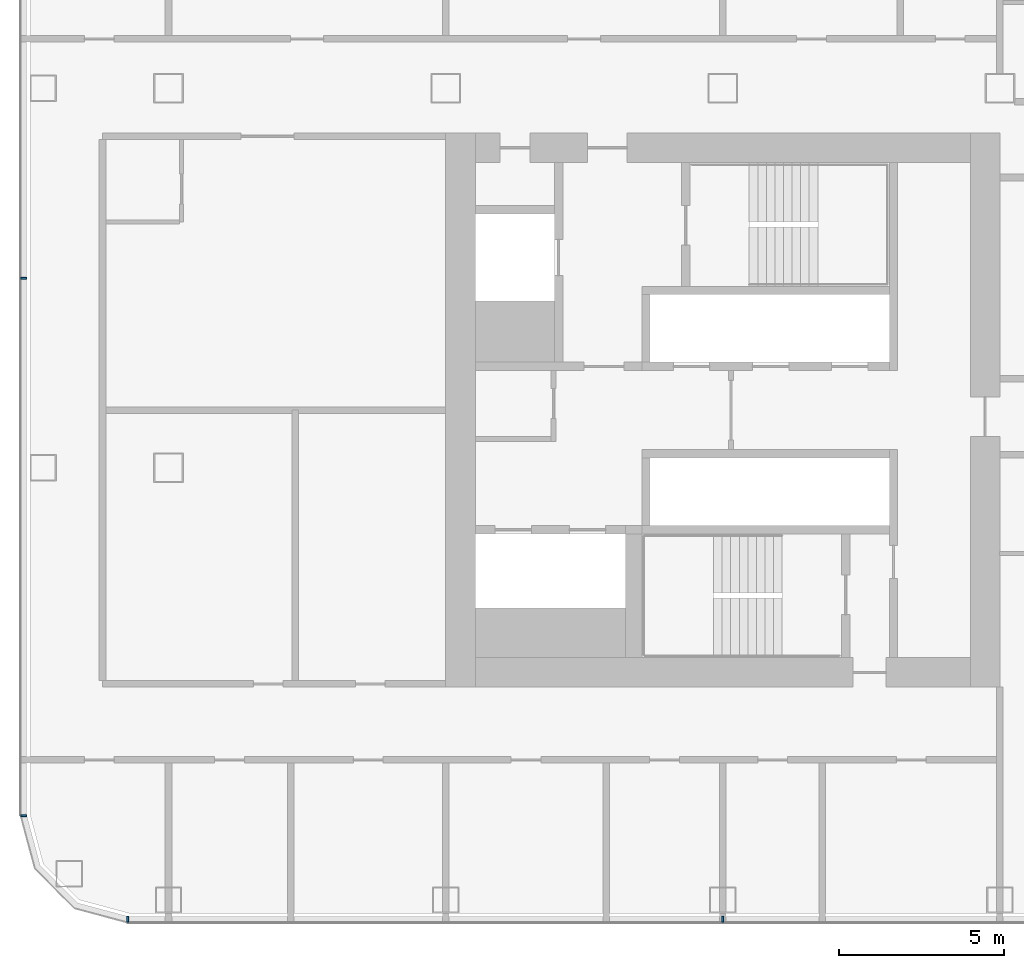
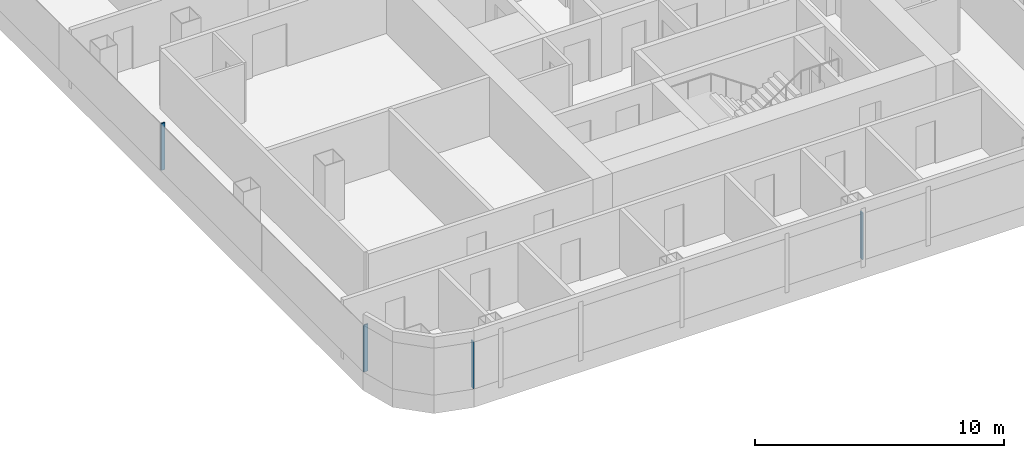
# One storey, part 2 of 29: 4 members, 2 elements without a shape of their own.
"""IFC4 building model written with IfcOpenShell, lengths in metres."""

from ifc_helpers import new_model, si_unit, direction, frame, origin, origin_2d, place, context, subcontext, project, spatial, rectangle, extrude, material, layer, layer_set, material_profile, profile_set, type_object, element, aggregate, save


model = new_model("IFC4")

# Units and contexts
model_context = context("Model", 3, precision=1e-05, world=origin(), true_north=direction((0.0, 1.0)))
body_context = subcontext(model_context, "Body", "Model", "MODEL_VIEW")
ifc_project = project(units=[si_unit("LENGTHUNIT", "METRE"), si_unit("AREAUNIT", "SQUARE_METRE"), si_unit("VOLUMEUNIT", "CUBIC_METRE"), si_unit("PLANEANGLEUNIT", "RADIAN"), si_unit("MASSUNIT", "GRAM", prefix="KILO")], contexts=[model_context])

# Site, building, storey
site_placement = place(None, origin())
site = spatial("IfcSite", under=ifc_project, at=site_placement, CompositionType="ELEMENT")
building_placement = place(site_placement, origin())
building = spatial("IfcBuilding", under=site, at=building_placement, Name="Hakoniwa Tower and Hamabe Station Hall", CompositionType="ELEMENT")
storey_placement = place(building_placement, frame((0.0, 0.0, 117.0)))
storey = spatial("IfcBuildingStorey", under=building, at=storey_placement, Name="L33", CompositionType="ELEMENT", Elevation=117.0)

# Curtain wall, members
ifc_material_1 = material(Name="Dark low-e laminated glass", Category="glass")
ifc_layer = layer(ifc_material_1, 0.199951171875)
ifc_layer_set = layer_set([ifc_layer], Name="CW-1 UNITISED GUEST")
curtain_wall_type = type_object("IfcCurtainWallType", Name="CW-1 UNITISED GUEST", PredefinedType="NOTDEFINED", material=ifc_layer_set)
curtain_wall_1_placement = place(storey_placement, origin())
curtain_wall_1 = element("IfcCurtainWall", 1, at=curtain_wall_1_placement, inside=storey, type_object=curtain_wall_type, Name="CW-1 curtain wall", PredefinedType="NOTDEFINED")
ifc_material_2 = material(Name="Aluminium 6063-T5 black anodised", Category="aluminium")
ifc_material_profile = material_profile(ifc_material_2, rectangle(XDim=0.06005859375, YDim=0.179931640625, at=origin_2d()), Name="CW-1 MULLION 60X180")
ifc_profile_set = profile_set([ifc_material_profile], Name="Aluminium 6063-T5 black anodised")
member_type = type_object("IfcMemberType", Name="CW-1 MULLION 60X180", PredefinedType="MULLION", material=ifc_profile_set)
member_1_placement = place(storey_placement, frame((-46.382080078125, 4.0, 0.35009765625), z_axis=(0.0, 0.0, 1.0), x_axis=(0.0, -1.0, 0.0)))
member_1 = element("IfcMember", 2, at=member_1_placement, type_object=member_type, Name="CW-1 mullion", PredefinedType="MULLION", context=body_context, shape_type="SweptSolid", body=[
    extrude(rectangle(XDim=0.06005859375, YDim=0.179931640625, at=origin_2d()), origin(), (0.0, 0.0, 1.0), 2.2998046875),
])
member_2_placement = place(storey_placement, frame((-46.382080078125, -12.28955078125, 0.35009765625), z_axis=(0.0, 0.0, 1.0), x_axis=(0.0, -1.0, 0.0)))
member_2 = element("IfcMember", 3, at=member_2_placement, type_object=member_type, Name="CW-1 mullion", PredefinedType="MULLION", context=body_context, shape_type="SweptSolid", body=[
    extrude(rectangle(XDim=0.06005859375, YDim=0.179931640625, at=origin_2d()), origin(), (0.0, 0.0, 1.0), 2.2998046875),
])
aggregate(curtain_wall_1, [member_1, member_2])

curtain_wall_2_placement = place(storey_placement, origin())
curtain_wall_2 = element("IfcCurtainWall", 4, at=curtain_wall_2_placement, inside=storey, type_object=curtain_wall_type, Name="CW-1 curtain wall", PredefinedType="NOTDEFINED")
member_3_placement = place(storey_placement, frame((-43.239501953125, -15.431884765625, 0.35009765625), z_axis=(0.0, 0.0, 1.0), x_axis=(1.0, 0.0, 0.0)))
member_3 = element("IfcMember", 5, at=member_3_placement, type_object=member_type, Name="CW-1 mullion", PredefinedType="MULLION", context=body_context, shape_type="SweptSolid", body=[
    extrude(rectangle(XDim=0.06005859375, YDim=0.179931640625, at=origin_2d()), origin(), (0.0, 0.0, 1.0), 2.2998046875),
])
member_4_placement = place(storey_placement, frame((-25.199951171875, -15.431884765625, 0.35009765625), z_axis=(0.0, 0.0, 1.0), x_axis=(1.0, 0.0, 0.0)))
member_4 = element("IfcMember", 6, at=member_4_placement, type_object=member_type, Name="CW-1 mullion", PredefinedType="MULLION", context=body_context, shape_type="SweptSolid", body=[
    extrude(rectangle(XDim=0.06005859375, YDim=0.179931640625, at=origin_2d()), origin(), (0.0, 0.0, 1.0), 2.2998046875),
])
aggregate(curtain_wall_2, [member_3, member_4])

save(model, "model.ifc")
